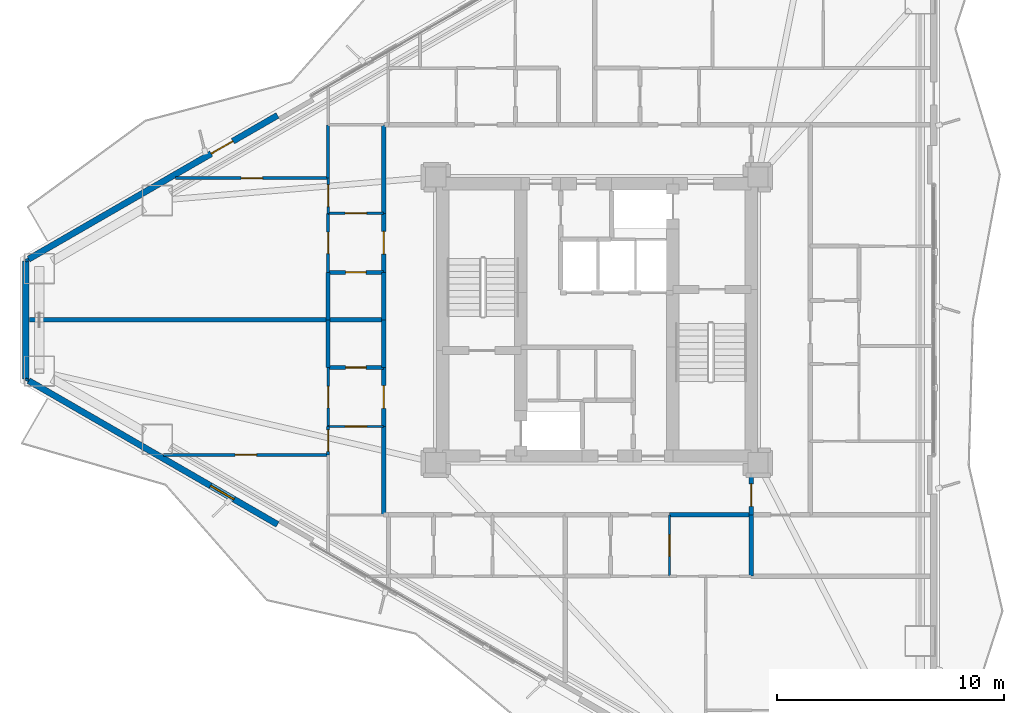
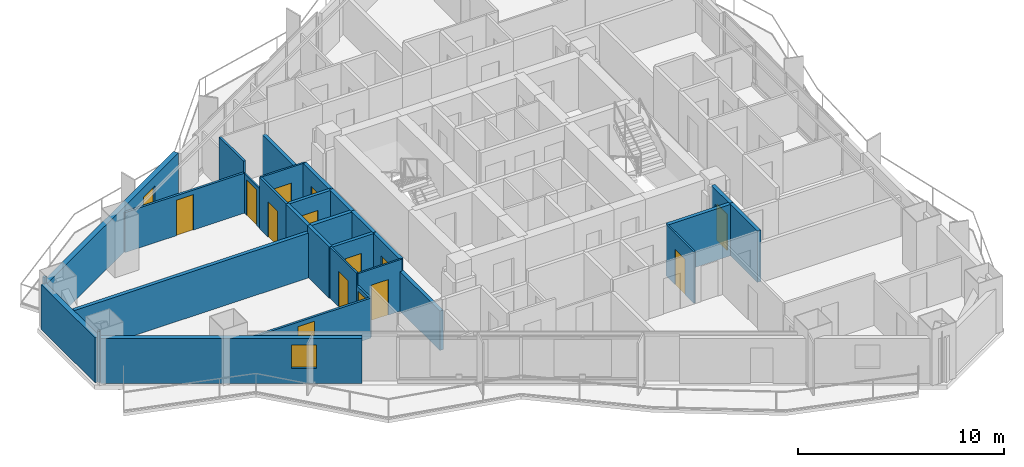
# One storey, part 12 of 18: 30 walls, 15 doors, 1 window, 16 openings.
"""IFC4 building model written with IfcOpenShell, lengths in metres."""

from ifc_helpers import new_model, si_unit, direction, frame, frame_2d, origin, place, context, subcontext, project, spatial, rectangle, extrude, material, layer, layer_set, type_object, element, fill, save


model = new_model("IFC4")

# Units and contexts
model_context = context("Model", 3, precision=1e-05, world=origin(), true_north=direction((0.0, 1.0)))
body_context = subcontext(model_context, "Body", "Model", "MODEL_VIEW")
ifc_project = project(units=[si_unit("LENGTHUNIT", "METRE"), si_unit("AREAUNIT", "SQUARE_METRE"), si_unit("VOLUMEUNIT", "CUBIC_METRE"), si_unit("PLANEANGLEUNIT", "RADIAN"), si_unit("MASSUNIT", "GRAM", prefix="KILO")], contexts=[model_context])

# Site, building, storey
site_placement = place(None, origin())
site = spatial("IfcSite", under=ifc_project, at=site_placement, CompositionType="ELEMENT")
building_placement = place(site_placement, origin())
building = spatial("IfcBuilding", under=site, at=building_placement, Name="Mersakhor Tower and Convention Hall", CompositionType="ELEMENT")
storey_placement = place(building_placement, frame((0.0, 0.0, 32.39990234375)))
storey = spatial("IfcBuildingStorey", under=building, at=storey_placement, Name="L08", CompositionType="ELEMENT", Elevation=32.39990234375)

# Wall
ifc_material_1 = material(Name="Precast concrete C45/55", Category="concrete")
ifc_layer_1 = layer(ifc_material_1, 0.27490234375)
ifc_layer_set_1 = layer_set([ifc_layer_1], Name="Precast concrete C45/55")
wall_type_1 = type_object("IfcWallType", Name="WL-EXT-275", PredefinedType="SOLIDWALL", material=ifc_layer_set_1)
wall_1_placement = place(storey_placement, frame((3.81298828125, 24.144287109375, 0.0), z_axis=(0.0, 0.0, 1.0), x_axis=(0.0, 1.0, 0.0)))
element("IfcWall", 1, at=wall_1_placement, inside=storey, type_object=wall_type_1, Name="L08 Chamfer Braced Spandrel Wall C3", PredefinedType="SOLIDWALL", context=body_context, shape_type="SweptSolid", body=[
    extrude(rectangle(XDim=5.21142578125, YDim=0.27490234375, at=frame_2d((2.605712890625, 0.0))), origin(), (0.0, 0.0, 1.0), 2.66015625),
])

# Wall, opening, door
wall_2_placement = place(storey_placement, frame((3.943115234375, 29.4306640625, 0.0), z_axis=(0.0, 0.0, 1.0), x_axis=(0.866027105532, 0.499997052475, 0.0)))
wall_2 = element("IfcWall", 2, at=wall_2_placement, inside=storey, type_object=wall_type_1, Name="L08 Exterior Facade Wall F1-B1", PredefinedType="SOLIDWALL", context=body_context, shape_type="SweptSolid", body=[
    extrude(rectangle(XDim=12.6728515625, YDim=0.27490234375, at=frame_2d((6.33642578125, 0.0))), origin(), (0.0, 0.0, 1.0), 2.66015625),
])
opening_1_placement = place(wall_2_placement, frame((9.298095703125, 0.0, 0.0)))
opening_1 = element("IfcOpeningElement", 3, at=opening_1_placement, cuts=wall_2, Name="Opening BD-02", PredefinedType="OPENING", context=body_context, shape_type="SweptSolid", body=[
    extrude(rectangle(XDim=1.10009765625, YDim=2.10009765625, at=frame_2d((0.550048828125, 1.050048828125))), frame((0.0, 0.1474609375, 0.0), z_axis=(0.0, -1.0, 0.0), x_axis=(1.0, 0.0, 0.0)), (0.0, 0.0, 1.0), 0.294921875),
])
ifc_material_2 = material(Name="Thermally broken dark aluminium and safety glass", Category="aluminium")
door_type_1 = type_object("IfcDoorType", Name="DR-BAL-110x210", OperationType="NOTDEFINED", PredefinedType="DOOR", material=ifc_material_2)
door_1_placement = place(opening_1_placement, origin())
door_1 = element("IfcDoor", 4, at=door_1_placement, inside=storey, type_object=door_type_1, Name="L08 Balcony Terrace Door F1-B1", OperationType="SINGLE_SWING_RIGHT", OverallHeight=2.10009765625, OverallWidth=1.10009765625, PredefinedType="DOOR", context=body_context, shape_type="SweptSolid", body=[
    extrude(rectangle(XDim=1.10009765625, YDim=2.10009765625, at=frame_2d((0.550048828125, 1.050048828125))), frame((0.0, 0.02490234375, 0.0), z_axis=(0.0, -1.0, 0.0), x_axis=(1.0, 0.0, 0.0)), (0.0, 0.0, 1.0), 0.050048828125),
])
fill(opening_1, door_1)

# Wall, opening, window
wall_3_placement = place(storey_placement, frame((14.918212890625, 17.73291015625, 0.0), z_axis=(0.0, 0.0, 1.0), x_axis=(-0.866027105532, 0.499997052475, 0.0)))
wall_3 = element("IfcWall", 5, at=wall_3_placement, inside=storey, type_object=wall_type_1, Name="L08 Exterior Facade Wall F3-B3", PredefinedType="SOLIDWALL", context=body_context, shape_type="SweptSolid", body=[
    extrude(rectangle(XDim=12.6728515625, YDim=0.27490234375, at=frame_2d((6.33642578125, 0.0))), origin(), (0.0, 0.0, 1.0), 2.66015625),
])
opening_2_placement = place(wall_3_placement, frame((2.216064453125, 0.0, 0.89990234375)))
opening_2 = element("IfcOpeningElement", 6, at=opening_2_placement, cuts=wall_3, Name="Opening W-01", PredefinedType="OPENING", context=body_context, shape_type="SweptSolid", body=[
    extrude(rectangle(XDim=1.199951171875, YDim=1.39990234375, at=frame_2d((0.60009765625, 0.699951171875))), frame((0.0, 0.1474609375, 0.0), z_axis=(0.0, -1.0, 0.0), x_axis=(1.0, 0.0, 0.0)), (0.0, 0.0, 1.0), 0.294921875),
])
ifc_material_3 = material(Name="Dark solar low-E glazed aluminium window", Category="aluminium")
window_type = type_object("IfcWindowType", Name="WN-RES-120x150", PartitioningType="SINGLE_PANEL", PredefinedType="WINDOW", material=ifc_material_3)
window_placement = place(opening_2_placement, origin())
window = element("IfcWindow", 7, at=window_placement, inside=storey, type_object=window_type, Name="L08 Bedroom Facade Window F3-B3-1", OverallHeight=1.39990234375, OverallWidth=1.199951171875, PartitioningType="SINGLE_PANEL", PredefinedType="WINDOW", context=body_context, shape_type="SweptSolid", body=[
    extrude(rectangle(XDim=1.199951171875, YDim=1.39990234375, at=frame_2d((0.60009765625, 0.699951171875))), frame((0.0, 0.030029296875, 0.0), z_axis=(0.0, -1.0, 0.0), x_axis=(1.0, 0.0, 0.0)), (0.0, 0.0, 1.0), 0.06005859375),
])
fill(opening_2, window)

# Wall, opening, door
ifc_material_4 = material(Name="Moisture-resistant acoustic drywall studwork", Category="other")
ifc_layer_2 = layer(ifc_material_4, 0.175048828125)
ifc_layer_set_2 = layer_set([ifc_layer_2], Name="Moisture-resistant acoustic drywall studwork")
wall_type_2 = type_object("IfcWallType", Name="WL-PLM-175", PredefinedType="PLUMBINGWALL", material=ifc_layer_set_2)
wall_4_placement = place(storey_placement, frame((19.60009765625, 28.85009765625, 0.0), z_axis=(0.0, 0.0, 1.0), x_axis=(-1.0, 0.0, 0.0)))
wall_4 = element("IfcWall", 8, at=wall_4_placement, inside=storey, type_object=wall_type_2, Name="L08 Interior Partition Wall P-081", PredefinedType="PLUMBINGWALL", context=body_context, shape_type="SweptSolid", body=[
    extrude(rectangle(XDim=2.4501953125, YDim=0.175048828125, at=frame_2d((1.22509765625, 0.0))), origin(), (0.0, 0.0, 1.0), 3.0400390625),
])
opening_3_placement = place(wall_4_placement, frame((0.77490234375, 0.0, 0.0)))
opening_3 = element("IfcOpeningElement", 9, at=opening_3_placement, cuts=wall_4, Name="Opening WD-01", PredefinedType="OPENING", context=body_context, shape_type="SweptSolid", body=[
    extrude(rectangle(XDim=0.89990234375, YDim=2.10009765625, at=frame_2d((0.449951171875, 1.050048828125))), frame((0.0, 0.097412109375, 0.0), z_axis=(0.0, -1.0, 0.0), x_axis=(1.0, 0.0, 0.0)), (0.0, 0.0, 1.0), 0.195068359375),
])
ifc_material_5 = material(Name="Solid-core hardwood leaf in painted steel frame", Category="steel")
door_type_2 = type_object("IfcDoorType", Name="DR-INT-WET-090x210", OperationType="NOTDEFINED", PredefinedType="DOOR", material=ifc_material_5)
door_2_placement = place(opening_3_placement, origin())
door_2 = element("IfcDoor", 10, at=door_2_placement, inside=storey, type_object=door_type_2, Name="L08 L08 Flat W5 Apartment Hall to L08 Flat W5 Bathroom Door", OperationType="SINGLE_SWING_RIGHT", OverallHeight=2.10009765625, OverallWidth=0.89990234375, PredefinedType="DOOR", context=body_context, shape_type="SweptSolid", body=[
    extrude(rectangle(XDim=0.89990234375, YDim=2.10009765625, at=frame_2d((0.449951171875, 1.050048828125))), frame((0.0, 0.02490234375, 0.0), z_axis=(0.0, -1.0, 0.0), x_axis=(1.0, 0.0, 0.0)), (0.0, 0.0, 1.0), 0.050048828125),
])
fill(opening_3, door_2)

wall_5_placement = place(storey_placement, frame((17.14990234375, 24.64990234375, 0.0), z_axis=(0.0, 0.0, 1.0), x_axis=(1.0, 0.0, 0.0)))
wall_5 = element("IfcWall", 11, at=wall_5_placement, inside=storey, type_object=wall_type_2, Name="L08 Interior Partition Wall P-083", PredefinedType="PLUMBINGWALL", context=body_context, shape_type="SweptSolid", body=[
    extrude(rectangle(XDim=2.4501953125, YDim=0.175048828125, at=frame_2d((1.22509765625, 0.0))), origin(), (0.0, 0.0, 1.0), 3.0400390625),
])
opening_4_placement = place(wall_5_placement, frame((0.77490234375, 0.0, 0.0)))
opening_4 = element("IfcOpeningElement", 12, at=opening_4_placement, cuts=wall_5, Name="Opening WD-01", PredefinedType="OPENING", context=body_context, shape_type="SweptSolid", body=[
    extrude(rectangle(XDim=0.89990234375, YDim=2.10009765625, at=frame_2d((0.449951171875, 1.050048828125))), frame((0.0, 0.097412109375, 0.0), z_axis=(0.0, -1.0, 0.0), x_axis=(1.0, 0.0, 0.0)), (0.0, 0.0, 1.0), 0.195068359375),
])
door_3_placement = place(opening_4_placement, origin())
door_3 = element("IfcDoor", 13, at=door_3_placement, inside=storey, type_object=door_type_2, Name="L08 L08 Flat W6 Apartment Hall to L08 Flat W6 Bathroom Door", OperationType="SINGLE_SWING_LEFT", OverallHeight=2.10009765625, OverallWidth=0.89990234375, PredefinedType="DOOR", context=body_context, shape_type="SweptSolid", body=[
    extrude(rectangle(XDim=0.89990234375, YDim=2.10009765625, at=frame_2d((0.449951171875, 1.050048828125))), frame((0.0, 0.02490234375, 0.0), z_axis=(0.0, -1.0, 0.0), x_axis=(1.0, 0.0, 0.0)), (0.0, 0.0, 1.0), 0.050048828125),
])
fill(opening_4, door_3)

# Walls
for number, where, z_axis, x_axis, name in (
    (14, (17.14990234375, 26.75, 0.0), (0.0, 0.0, 1.0), (0.0, 1.0, 0.0), "L08 Interior Partition Wall P-108"),
    (15, (17.14990234375, 24.64990234375, 0.0), (0.0, 0.0, 1.0), (0.0, 1.0, 0.0), "L08 Interior Partition Wall P-113"),
):
    element("IfcWall", number, at=place(storey_placement, frame(where, z_axis=z_axis, x_axis=x_axis)), inside=storey, type_object=wall_type_2, Name=name, PredefinedType="PLUMBINGWALL", context=body_context, shape_type="SweptSolid", body=[
        extrude(rectangle(XDim=2.10009765625, YDim=0.175048828125, at=frame_2d((1.050048828125, 0.0))), origin(), (0.0, 0.0, 1.0), 3.0400390625),
    ])

# Wall, opening, door
ifc_material_6 = material(Name="Lightweight gypsum partition", Category="other")
ifc_layer_3 = layer(ifc_material_6, 0.10009765625)
ifc_layer_set_3 = layer_set([ifc_layer_3], Name="Lightweight gypsum partition")
wall_type_3 = type_object("IfcWallType", Name="WL-PRT-100", PredefinedType="PARTITIONING", material=ifc_layer_set_3)
wall_6_placement = place(storey_placement, frame((32.199951171875, 18.14990234375, 0.0), z_axis=(0.0, 0.0, 1.0), x_axis=(0.0, -1.0, 0.0)))
wall_6 = element("IfcWall", 16, at=wall_6_placement, inside=storey, type_object=wall_type_3, Name="L08 Interior Partition Wall P-078", PredefinedType="PARTITIONING", context=body_context, shape_type="SweptSolid", body=[
    extrude(rectangle(XDim=2.699951171875, YDim=0.10009765625, at=frame_2d((1.35009765625, 0.0))), origin(), (0.0, 0.0, 1.0), 3.0400390625),
])
opening_5_placement = place(wall_6_placement, frame((0.875, 0.0, 0.0)))
opening_5 = element("IfcOpeningElement", 17, at=opening_5_placement, cuts=wall_6, Name="Opening RD-01", PredefinedType="OPENING", context=body_context, shape_type="SweptSolid", body=[
    extrude(rectangle(XDim=0.949951171875, YDim=2.10009765625, at=frame_2d((0.47509765625, 1.050048828125))), frame((0.0, 0.06005859375, 0.0), z_axis=(0.0, -1.0, 0.0), x_axis=(1.0, 0.0, 0.0)), (0.0, 0.0, 1.0), 0.1201171875),
])
ifc_material_7 = material(Name="Solid-core hardwood leaf in painted steel frame", Category="steel")
door_type_3 = type_object("IfcDoorType", Name="DR-INT-RM-095x210", OperationType="NOTDEFINED", PredefinedType="DOOR", material=ifc_material_7)
door_4_placement = place(opening_5_placement, origin())
door_4 = element("IfcDoor", 18, at=door_4_placement, inside=storey, type_object=door_type_3, Name="L08 L08 Flat S4 Apartment Hall to L08 Flat S4 Kitchen Door", OperationType="SINGLE_SWING_RIGHT", OverallHeight=2.10009765625, OverallWidth=0.949951171875, PredefinedType="DOOR", context=body_context, shape_type="SweptSolid", body=[
    extrude(rectangle(XDim=0.949951171875, YDim=2.10009765625, at=frame_2d((0.47509765625, 1.050048828125))), frame((0.0, 0.02490234375, 0.0), z_axis=(0.0, -1.0, 0.0), x_axis=(1.0, 0.0, 0.0)), (0.0, 0.0, 1.0), 0.050048828125),
])
fill(opening_5, door_4)

wall_7_placement = place(storey_placement, frame((17.14990234375, 31.449951171875, 0.0), z_axis=(0.0, 0.0, 1.0), x_axis=(1.0, 0.0, 0.0)))
wall_7 = element("IfcWall", 19, at=wall_7_placement, inside=storey, type_object=wall_type_3, Name="L08 Interior Partition Wall P-080", PredefinedType="PARTITIONING", context=body_context, shape_type="SweptSolid", body=[
    extrude(rectangle(XDim=2.4501953125, YDim=0.10009765625, at=frame_2d((1.22509765625, 0.0))), origin(), (0.0, 0.0, 1.0), 3.0400390625),
])
opening_6_placement = place(wall_7_placement, frame((0.75, 0.0, 0.0)))
opening_6 = element("IfcOpeningElement", 20, at=opening_6_placement, cuts=wall_7, Name="Opening RD-01", PredefinedType="OPENING", context=body_context, shape_type="SweptSolid", body=[
    extrude(rectangle(XDim=0.949951171875, YDim=2.10009765625, at=frame_2d((0.47509765625, 1.050048828125))), frame((0.0, 0.06005859375, 0.0), z_axis=(0.0, -1.0, 0.0), x_axis=(1.0, 0.0, 0.0)), (0.0, 0.0, 1.0), 0.1201171875),
])
door_5_placement = place(opening_6_placement, origin())
door_5 = element("IfcDoor", 21, at=door_5_placement, inside=storey, type_object=door_type_3, Name="L08 L08 Flat W5 Apartment Hall to L08 Flat W5 Kitchen Door", OperationType="SINGLE_SWING_LEFT", OverallHeight=2.10009765625, OverallWidth=0.949951171875, PredefinedType="DOOR", context=body_context, shape_type="SweptSolid", body=[
    extrude(rectangle(XDim=0.949951171875, YDim=2.10009765625, at=frame_2d((0.47509765625, 1.050048828125))), frame((0.0, 0.02490234375, 0.0), z_axis=(0.0, -1.0, 0.0), x_axis=(1.0, 0.0, 0.0)), (0.0, 0.0, 1.0), 0.050048828125),
])
fill(opening_6, door_5)

wall_8_placement = place(storey_placement, frame((17.14990234375, 22.050048828125, 0.0), z_axis=(0.0, 0.0, 1.0), x_axis=(0.0, 1.0, 0.0)))
wall_8 = element("IfcWall", 22, at=wall_8_placement, inside=storey, type_object=wall_type_3, Name="L08 Interior Partition Wall P-082", PredefinedType="PARTITIONING", context=body_context, shape_type="SweptSolid", body=[
    extrude(rectangle(XDim=2.599853515625, YDim=0.10009765625, at=frame_2d((1.2998046875, 0.0))), origin(), (0.0, 0.0, 1.0), 3.0400390625),
])
opening_7_placement = place(wall_8_placement, frame((0.824951171875, 0.0, 0.0)))
opening_7 = element("IfcOpeningElement", 23, at=opening_7_placement, cuts=wall_8, Name="Opening RD-01", PredefinedType="OPENING", context=body_context, shape_type="SweptSolid", body=[
    extrude(rectangle(XDim=0.949951171875, YDim=2.10009765625, at=frame_2d((0.47509765625, 1.050048828125))), frame((0.0, 0.06005859375, 0.0), z_axis=(0.0, -1.0, 0.0), x_axis=(1.0, 0.0, 0.0)), (0.0, 0.0, 1.0), 0.1201171875),
])
door_6_placement = place(opening_7_placement, origin())
door_6 = element("IfcDoor", 24, at=door_6_placement, inside=storey, type_object=door_type_3, Name="L08 L08 Flat W6 Apartment Hall to L08 Flat W6 Living and Dining Room Door", OperationType="SINGLE_SWING_LEFT", OverallHeight=2.10009765625, OverallWidth=0.949951171875, PredefinedType="DOOR", context=body_context, shape_type="SweptSolid", body=[
    extrude(rectangle(XDim=0.949951171875, YDim=2.10009765625, at=frame_2d((0.47509765625, 1.050048828125))), frame((0.0, 0.02490234375, 0.0), z_axis=(0.0, -1.0, 0.0), x_axis=(1.0, 0.0, 0.0)), (0.0, 0.0, 1.0), 0.050048828125),
])
fill(opening_7, door_6)

wall_9_placement = place(storey_placement, frame((19.60009765625, 22.050048828125, 0.0), z_axis=(0.0, 0.0, 1.0), x_axis=(-1.0, 0.0, 0.0)))
wall_9 = element("IfcWall", 25, at=wall_9_placement, inside=storey, type_object=wall_type_3, Name="L08 Interior Partition Wall P-084", PredefinedType="PARTITIONING", context=body_context, shape_type="SweptSolid", body=[
    extrude(rectangle(XDim=2.4501953125, YDim=0.10009765625, at=frame_2d((1.22509765625, 0.0))), origin(), (0.0, 0.0, 1.0), 3.0400390625),
])
opening_8_placement = place(wall_9_placement, frame((0.75, 0.0, 0.0)))
opening_8 = element("IfcOpeningElement", 26, at=opening_8_placement, cuts=wall_9, Name="Opening RD-01", PredefinedType="OPENING", context=body_context, shape_type="SweptSolid", body=[
    extrude(rectangle(XDim=0.949951171875, YDim=2.10009765625, at=frame_2d((0.47509765625, 1.050048828125))), frame((0.0, 0.06005859375, 0.0), z_axis=(0.0, -1.0, 0.0), x_axis=(1.0, 0.0, 0.0)), (0.0, 0.0, 1.0), 0.1201171875),
])
door_7_placement = place(opening_8_placement, origin())
door_7 = element("IfcDoor", 27, at=door_7_placement, inside=storey, type_object=door_type_3, Name="L08 L08 Flat W6 Apartment Hall to L08 Flat W6 Kitchen Door", OperationType="SINGLE_SWING_RIGHT", OverallHeight=2.10009765625, OverallWidth=0.949951171875, PredefinedType="DOOR", context=body_context, shape_type="SweptSolid", body=[
    extrude(rectangle(XDim=0.949951171875, YDim=2.10009765625, at=frame_2d((0.47509765625, 1.050048828125))), frame((0.0, 0.02490234375, 0.0), z_axis=(0.0, -1.0, 0.0), x_axis=(1.0, 0.0, 0.0)), (0.0, 0.0, 1.0), 0.050048828125),
])
fill(opening_8, door_7)

wall_10_placement = place(storey_placement, frame((17.14990234375, 31.449951171875, 0.0), z_axis=(0.0, 0.0, 1.0), x_axis=(0.0, 1.0, 0.0)))
wall_10 = element("IfcWall", 28, at=wall_10_placement, inside=storey, type_object=wall_type_3, Name="L08 Interior Partition Wall P-110", PredefinedType="PARTITIONING", context=body_context, shape_type="SweptSolid", body=[
    extrude(rectangle(XDim=1.550048828125, YDim=0.10009765625, at=frame_2d((0.77490234375, 0.0))), origin(), (0.0, 0.0, 1.0), 2.337646484375),
])
opening_9_placement = place(wall_10_placement, frame((0.300048828125, 0.0, 0.0)))
opening_9 = element("IfcOpeningElement", 29, at=opening_9_placement, cuts=wall_10, Name="Opening RD-01", PredefinedType="OPENING", context=body_context, shape_type="SweptSolid", body=[
    extrude(rectangle(XDim=0.949951171875, YDim=2.10009765625, at=frame_2d((0.47509765625, 1.050048828125))), frame((0.0, 0.06005859375, 0.0), z_axis=(0.0, -1.0, 0.0), x_axis=(1.0, 0.0, 0.0)), (0.0, 0.0, 1.0), 0.1201171875),
])
door_8_placement = place(opening_9_placement, origin())
door_8 = element("IfcDoor", 30, at=door_8_placement, inside=storey, type_object=door_type_3, Name="L08 L08 Flat W5 Kitchen to L08 Flat W5 Living and Dining Room Door", OperationType="SINGLE_SWING_RIGHT", OverallHeight=2.10009765625, OverallWidth=0.949951171875, PredefinedType="DOOR", context=body_context, shape_type="SweptSolid", body=[
    extrude(rectangle(XDim=0.949951171875, YDim=2.10009765625, at=frame_2d((0.47509765625, 1.050048828125))), frame((0.0, 0.02490234375, 0.0), z_axis=(0.0, -1.0, 0.0), x_axis=(1.0, 0.0, 0.0)), (0.0, 0.0, 1.0), 0.050048828125),
])
fill(opening_9, door_8)

# Wall
wall_11_placement = place(storey_placement, frame((3.94287109375, 24.069091796875, 0.0), z_axis=(0.0, 0.0, 1.0), x_axis=(-0.866131372301, 0.499816412211, 0.0)))
element("IfcWall", 31, at=wall_11_placement, inside=storey, type_object=wall_type_3, Name="L08 Interior Partition Wall P-144", PredefinedType="PARTITIONING", context=body_context, shape_type="SweptSolid", body=[
    extrude(rectangle(XDim=0.14990234375, YDim=0.10009765625, at=frame_2d((0.074951171875, 0.0))), origin(), (0.0, 0.0, 1.0), 3.0400390625),
])

# Wall, opening, door
ifc_material_8 = material(Name="Gypsum board acoustic partition", Category="other")
ifc_layer_4 = layer(ifc_material_8, 0.125)
ifc_layer_set_4 = layer_set([ifc_layer_4], Name="Gypsum board acoustic partition")
wall_type_4 = type_object("IfcWallType", Name="WL-PRT-125", PredefinedType="PARTITIONING", material=ifc_layer_set_4)
wall_12_placement = place(storey_placement, frame((17.14990234375, 28.85009765625, 0.0), z_axis=(0.0, 0.0, 1.0), x_axis=(0.0, 1.0, 0.0)))
wall_12 = element("IfcWall", 32, at=wall_12_placement, inside=storey, type_object=wall_type_4, Name="L08 Interior Partition Wall P-079", PredefinedType="PARTITIONING", context=body_context, shape_type="SweptSolid", body=[
    extrude(rectangle(XDim=2.599853515625, YDim=0.125, at=frame_2d((1.2998046875, 0.0))), origin(), (0.0, 0.0, 1.0), 3.0400390625),
])
opening_10_placement = place(wall_12_placement, frame((0.824951171875, 0.0, 0.0)))
opening_10 = element("IfcOpeningElement", 33, at=opening_10_placement, cuts=wall_12, Name="Opening RD-01", PredefinedType="OPENING", context=body_context, shape_type="SweptSolid", body=[
    extrude(rectangle(XDim=0.949951171875, YDim=2.10009765625, at=frame_2d((0.47509765625, 1.050048828125))), frame((0.0, 0.072509765625, 0.0), z_axis=(0.0, -1.0, 0.0), x_axis=(1.0, 0.0, 0.0)), (0.0, 0.0, 1.0), 0.14501953125),
])
door_9_placement = place(opening_10_placement, origin())
door_9 = element("IfcDoor", 34, at=door_9_placement, inside=storey, type_object=door_type_3, Name="L08 L08 Flat W5 Apartment Hall to L08 Flat W5 Living and Dining Room Door", OperationType="SINGLE_SWING_RIGHT", OverallHeight=2.10009765625, OverallWidth=0.949951171875, PredefinedType="DOOR", context=body_context, shape_type="SweptSolid", body=[
    extrude(rectangle(XDim=0.949951171875, YDim=2.10009765625, at=frame_2d((0.47509765625, 1.050048828125))), frame((0.0, 0.02490234375, 0.0), z_axis=(0.0, -1.0, 0.0), x_axis=(1.0, 0.0, 0.0)), (0.0, 0.0, 1.0), 0.050048828125),
])
fill(opening_10, door_9)

# Wall
wall_13_placement = place(storey_placement, frame((17.14990234375, 33.0, 0.0), z_axis=(0.0, 0.0, 1.0), x_axis=(0.0, 1.0, 0.0)))
element("IfcWall", 35, at=wall_13_placement, inside=storey, type_object=wall_type_4, Name="L08 Interior Partition Wall P-111", PredefinedType="PARTITIONING", context=body_context, shape_type="SweptSolid", body=[
    extrude(rectangle(XDim=2.35009765625, YDim=0.125, at=frame_2d((1.175048828125, 0.0))), origin(), (0.0, 0.0, 1.0), 3.0400390625),
])

# Wall, opening, door
wall_14_placement = place(storey_placement, frame((17.14990234375, 20.800048828125, 0.0), z_axis=(0.0, 0.0, 1.0), x_axis=(0.0, 1.0, 0.0)))
wall_14 = element("IfcWall", 36, at=wall_14_placement, inside=storey, type_object=wall_type_4, Name="L08 Interior Partition Wall P-115", PredefinedType="PARTITIONING", context=body_context, shape_type="SweptSolid", body=[
    extrude(rectangle(XDim=1.25, YDim=0.125, at=frame_2d((0.625, 0.0))), origin(), (0.0, 0.0, 1.0), 2.337646484375),
])
opening_11_placement = place(wall_14_placement, frame((0.14990234375, 0.0, 0.0)))
opening_11 = element("IfcOpeningElement", 37, at=opening_11_placement, cuts=wall_14, Name="Opening RD-01", PredefinedType="OPENING", context=body_context, shape_type="SweptSolid", body=[
    extrude(rectangle(XDim=0.949951171875, YDim=2.10009765625, at=frame_2d((0.47509765625, 1.050048828125))), frame((0.0, 0.072509765625, 0.0), z_axis=(0.0, -1.0, 0.0), x_axis=(1.0, 0.0, 0.0)), (0.0, 0.0, 1.0), 0.14501953125),
])
door_10_placement = place(opening_11_placement, origin())
door_10 = element("IfcDoor", 38, at=door_10_placement, inside=storey, type_object=door_type_3, Name="L08 L08 Flat W6 Kitchen to L08 Flat W6 Living and Dining Room Door", OperationType="SINGLE_SWING_LEFT", OverallHeight=2.10009765625, OverallWidth=0.949951171875, PredefinedType="DOOR", context=body_context, shape_type="SweptSolid", body=[
    extrude(rectangle(XDim=0.949951171875, YDim=2.10009765625, at=frame_2d((0.47509765625, 1.050048828125))), frame((0.0, 0.02490234375, 0.0), z_axis=(0.0, -1.0, 0.0), x_axis=(1.0, 0.0, 0.0)), (0.0, 0.0, 1.0), 0.050048828125),
])
fill(opening_11, door_10)

wall_15_placement = place(storey_placement, frame((10.4189453125, 33.0, 0.0), z_axis=(0.0, 0.0, 1.0), x_axis=(1.0, 0.0, 0.0)))
wall_15 = element("IfcWall", 39, at=wall_15_placement, inside=storey, type_object=wall_type_4, Name="L08 Interior Partition Wall P-139", PredefinedType="PARTITIONING", context=body_context, shape_type="SweptSolid", body=[
    extrude(rectangle(XDim=6.73095703125, YDim=0.125, at=frame_2d((3.365478515625, 0.0))), origin(), (0.0, 0.0, 1.0), 2.364990234375),
])
opening_12_placement = place(wall_15_placement, frame((2.890380859375, 0.0, 0.0)))
opening_12 = element("IfcOpeningElement", 40, at=opening_12_placement, cuts=wall_15, Name="Opening RD-01", PredefinedType="OPENING", context=body_context, shape_type="SweptSolid", body=[
    extrude(rectangle(XDim=0.949951171875, YDim=2.10009765625, at=frame_2d((0.47509765625, 1.050048828125))), frame((0.0, 0.072509765625, 0.0), z_axis=(0.0, -1.0, 0.0), x_axis=(1.0, 0.0, 0.0)), (0.0, 0.0, 1.0), 0.14501953125),
])
door_11_placement = place(opening_12_placement, origin())
door_11 = element("IfcDoor", 41, at=door_11_placement, inside=storey, type_object=door_type_3, Name="L08 L08 Flat W5 Living and Dining Room to L08 Flat W5 Bedroom 1 Door", OperationType="SINGLE_SWING_RIGHT", OverallHeight=2.10009765625, OverallWidth=0.949951171875, PredefinedType="DOOR", context=body_context, shape_type="SweptSolid", body=[
    extrude(rectangle(XDim=0.949951171875, YDim=2.10009765625, at=frame_2d((0.47509765625, 1.050048828125))), frame((0.0, 0.02490234375, 0.0), z_axis=(0.0, -1.0, 0.0), x_axis=(1.0, 0.0, 0.0)), (0.0, 0.0, 1.0), 0.050048828125),
])
fill(opening_12, door_11)

# Wall
wall_16_placement = place(storey_placement, frame((3.81298828125, 29.35595703125, 0.0), z_axis=(0.0, 0.0, 1.0), x_axis=(0.866131372301, 0.499816412211, 0.0)))
element("IfcWall", 42, at=wall_16_placement, inside=storey, type_object=wall_type_4, Name="L08 Interior Partition Wall P-141", PredefinedType="PARTITIONING", context=body_context, shape_type="SweptSolid", body=[
    extrude(rectangle(XDim=0.14990234375, YDim=0.125, at=frame_2d((0.074951171875, 0.0))), origin(), (0.0, 0.0, 1.0), 3.0400390625),
])

# Wall, opening, door
wall_17_placement = place(storey_placement, frame((17.14990234375, 20.800048828125, 0.0), z_axis=(0.0, 0.0, 1.0), x_axis=(-1.0, 0.0, 0.0)))
wall_17 = element("IfcWall", 43, at=wall_17_placement, inside=storey, type_object=wall_type_4, Name="L08 Interior Partition Wall P-143", PredefinedType="PARTITIONING", context=body_context, shape_type="SweptSolid", body=[
    extrude(rectangle(XDim=7.25048828125, YDim=0.125, at=frame_2d((3.625244140625, 0.0))), origin(), (0.0, 0.0, 1.0), 2.364990234375),
])
opening_13_placement = place(wall_17_placement, frame((3.150390625, 0.0, 0.0)))
opening_13 = element("IfcOpeningElement", 44, at=opening_13_placement, cuts=wall_17, Name="Opening RD-01", PredefinedType="OPENING", context=body_context, shape_type="SweptSolid", body=[
    extrude(rectangle(XDim=0.949951171875, YDim=2.10009765625, at=frame_2d((0.47509765625, 1.050048828125))), frame((0.0, 0.072509765625, 0.0), z_axis=(0.0, -1.0, 0.0), x_axis=(1.0, 0.0, 0.0)), (0.0, 0.0, 1.0), 0.14501953125),
])
door_12_placement = place(opening_13_placement, origin())
door_12 = element("IfcDoor", 45, at=door_12_placement, inside=storey, type_object=door_type_3, Name="L08 L08 Flat W6 Living and Dining Room to L08 Flat W6 Bedroom 1 Door", OperationType="SINGLE_SWING_LEFT", OverallHeight=2.10009765625, OverallWidth=0.949951171875, PredefinedType="DOOR", context=body_context, shape_type="SweptSolid", body=[
    extrude(rectangle(XDim=0.949951171875, YDim=2.10009765625, at=frame_2d((0.47509765625, 1.050048828125))), frame((0.0, 0.02490234375, 0.0), z_axis=(0.0, -1.0, 0.0), x_axis=(1.0, 0.0, 0.0)), (0.0, 0.0, 1.0), 0.050048828125),
])
fill(opening_13, door_12)

ifc_material_9 = material(Name="Acoustic concrete blockwork and gypsum board", Category="masonry")
ifc_layer_5 = layer(ifc_material_9, 0.199951171875)
ifc_layer_set_5 = layer_set([ifc_layer_5], Name="Acoustic concrete blockwork and gypsum board")
wall_type_5 = type_object("IfcWallType", Name="WL-PRT-200", PredefinedType="PARTITIONING", material=ifc_layer_set_5)
wall_18_placement = place(storey_placement, frame((35.800048828125, 19.89990234375, 0.0), z_axis=(0.0, 0.0, 1.0), x_axis=(0.0, -1.0, 0.0)))
wall_18 = element("IfcWall", 46, at=wall_18_placement, inside=storey, type_object=wall_type_5, Name="L08 Interior Partition Wall P-023", PredefinedType="PARTITIONING", context=body_context, shape_type="SweptSolid", body=[
    extrude(rectangle(XDim=1.75, YDim=0.199951171875, at=frame_2d((0.875, 0.0))), origin(), (0.0, 0.0, 1.0), 3.0400390625),
])
opening_14_placement = place(wall_18_placement, frame((0.375, 0.0, 0.0)))
opening_14 = element("IfcOpeningElement", 47, at=opening_14_placement, cuts=wall_18, Name="Opening FD-01", PredefinedType="OPENING", context=body_context, shape_type="SweptSolid", body=[
    extrude(rectangle(XDim=1.0, YDim=2.14990234375, at=frame_2d((0.5, 1.074951171875))), frame((0.0, 0.10986328125, 0.0), z_axis=(0.0, -1.0, 0.0), x_axis=(1.0, 0.0, 0.0)), (0.0, 0.0, 1.0), 0.219970703125),
])
ifc_material_10 = material(Name="Fire-rated hardwood leaf and painted steel frame", Category="steel")
door_type_4 = type_object("IfcDoorType", Name="DR-INT-FLT-100x215", OperationType="NOTDEFINED", PredefinedType="DOOR", material=ifc_material_10)
door_13_placement = place(opening_14_placement, origin())
door_13 = element("IfcDoor", 48, at=door_13_placement, inside=storey, type_object=door_type_4, Name="L08 Ring Corridor Fire Door", OperationType="SINGLE_SWING_RIGHT", OverallHeight=2.14990234375, OverallWidth=1.0, PredefinedType="DOOR", context=body_context, shape_type="SweptSolid", body=[
    extrude(rectangle(XDim=1.0, YDim=2.14990234375, at=frame_2d((0.5, 1.074951171875))), frame((0.0, 0.02490234375, 0.0), z_axis=(0.0, -1.0, 0.0), x_axis=(1.0, 0.0, 0.0)), (0.0, 0.0, 1.0), 0.050048828125),
])
fill(opening_14, door_13)

# Walls
wall_19_placement = place(storey_placement, frame((35.800048828125, 18.14990234375, 0.0), z_axis=(0.0, 0.0, 1.0), x_axis=(-1.0, 0.0, 0.0)))
element("IfcWall", 49, at=wall_19_placement, inside=storey, type_object=wall_type_5, Name="L08 Interior Partition Wall P-024", PredefinedType="PARTITIONING", context=body_context, shape_type="SweptSolid", body=[
    extrude(rectangle(XDim=3.60009765625, YDim=0.199951171875, at=frame_2d((1.800048828125, 0.0))), origin(), (0.0, 0.0, 1.0), 3.0400390625),
])
wall_20_placement = place(storey_placement, frame((19.60009765625, 18.14990234375, 0.0), z_axis=(0.0, 0.0, 1.0), x_axis=(0.0, 1.0, 0.0)))
element("IfcWall", 50, at=wall_20_placement, inside=storey, type_object=wall_type_5, Name="L08 Interior Partition Wall P-031", PredefinedType="PARTITIONING", context=body_context, shape_type="SweptSolid", body=[
    extrude(rectangle(XDim=3.900146484375, YDim=0.199951171875, at=frame_2d((1.9501953125, 0.0))), origin(), (0.0, 0.0, 1.0), 2.337646484375),
])

# Wall, opening, door
wall_21_placement = place(storey_placement, frame((19.60009765625, 22.050048828125, 0.0), z_axis=(0.0, 0.0, 1.0), x_axis=(0.0, 1.0, 0.0)))
wall_21 = element("IfcWall", 51, at=wall_21_placement, inside=storey, type_object=wall_type_5, Name="L08 Interior Partition Wall P-032", PredefinedType="PARTITIONING", context=body_context, shape_type="SweptSolid", body=[
    extrude(rectangle(XDim=2.599853515625, YDim=0.199951171875, at=frame_2d((1.2998046875, 0.0))), origin(), (0.0, 0.0, 1.0), 3.0400390625),
])
opening_15_placement = place(wall_21_placement, frame((0.800048828125, 0.0, 0.0)))
opening_15 = element("IfcOpeningElement", 52, at=opening_15_placement, cuts=wall_21, Name="Opening FD-01", PredefinedType="OPENING", context=body_context, shape_type="SweptSolid", body=[
    extrude(rectangle(XDim=1.0, YDim=2.14990234375, at=frame_2d((0.5, 1.074951171875))), frame((0.0, 0.10986328125, 0.0), z_axis=(0.0, -1.0, 0.0), x_axis=(1.0, 0.0, 0.0)), (0.0, 0.0, 1.0), 0.219970703125),
])
door_14_placement = place(opening_15_placement, origin())
door_14 = element("IfcDoor", 53, at=door_14_placement, inside=storey, type_object=door_type_4, Name="L08 Apartment Entrance Door (Residential Ring Corridor to L08 Flat W6 Apartment Hall)", OperationType="SINGLE_SWING_LEFT", OverallHeight=2.14990234375, OverallWidth=1.0, PredefinedType="DOOR", context=body_context, shape_type="SweptSolid", body=[
    extrude(rectangle(XDim=1.0, YDim=2.14990234375, at=frame_2d((0.5, 1.074951171875))), frame((0.0, 0.02490234375, 0.0), z_axis=(0.0, -1.0, 0.0), x_axis=(1.0, 0.0, 0.0)), (0.0, 0.0, 1.0), 0.050048828125),
])
fill(opening_15, door_14)

# Walls
for number, where, z_axis, x_axis, name in (
    (54, (19.60009765625, 24.64990234375, 0.0), (0.0, 0.0, 1.0), (0.0, 1.0, 0.0), "L08 Interior Partition Wall P-033"),
    (55, (19.60009765625, 26.75, 0.0), (0.0, 0.0, 1.0), (0.0, 1.0, 0.0), "L08 Interior Partition Wall P-034"),
):
    element("IfcWall", number, at=place(storey_placement, frame(where, z_axis=z_axis, x_axis=x_axis)), inside=storey, type_object=wall_type_5, Name=name, PredefinedType="PARTITIONING", context=body_context, shape_type="SweptSolid", body=[
        extrude(rectangle(XDim=2.10009765625, YDim=0.199951171875, at=frame_2d((1.050048828125, 0.0))), origin(), (0.0, 0.0, 1.0), 3.0400390625),
    ])

# Wall, opening, door
wall_22_placement = place(storey_placement, frame((19.60009765625, 28.85009765625, 0.0), z_axis=(0.0, 0.0, 1.0), x_axis=(0.0, 1.0, 0.0)))
wall_22 = element("IfcWall", 56, at=wall_22_placement, inside=storey, type_object=wall_type_5, Name="L08 Interior Partition Wall P-035", PredefinedType="PARTITIONING", context=body_context, shape_type="SweptSolid", body=[
    extrude(rectangle(XDim=2.599853515625, YDim=0.199951171875, at=frame_2d((1.2998046875, 0.0))), origin(), (0.0, 0.0, 1.0), 3.0400390625),
])
opening_16_placement = place(wall_22_placement, frame((0.800048828125, 0.0, 0.0)))
opening_16 = element("IfcOpeningElement", 57, at=opening_16_placement, cuts=wall_22, Name="Opening FD-01", PredefinedType="OPENING", context=body_context, shape_type="SweptSolid", body=[
    extrude(rectangle(XDim=1.0, YDim=2.14990234375, at=frame_2d((0.5, 1.074951171875))), frame((0.0, 0.10986328125, 0.0), z_axis=(0.0, -1.0, 0.0), x_axis=(1.0, 0.0, 0.0)), (0.0, 0.0, 1.0), 0.219970703125),
])
door_15_placement = place(opening_16_placement, origin())
door_15 = element("IfcDoor", 58, at=door_15_placement, inside=storey, type_object=door_type_4, Name="L08 Apartment Entrance Door (Residential Ring Corridor to L08 Flat W5 Apartment Hall)", OperationType="SINGLE_SWING_RIGHT", OverallHeight=2.14990234375, OverallWidth=1.0, PredefinedType="DOOR", context=body_context, shape_type="SweptSolid", body=[
    extrude(rectangle(XDim=1.0, YDim=2.14990234375, at=frame_2d((0.5, 1.074951171875))), frame((0.0, 0.02490234375, 0.0), z_axis=(0.0, -1.0, 0.0), x_axis=(1.0, 0.0, 0.0)), (0.0, 0.0, 1.0), 0.050048828125),
])
fill(opening_16, door_15)

# Walls
wall_23_placement = place(storey_placement, frame((19.60009765625, 31.449951171875, 0.0), z_axis=(0.0, 0.0, 1.0), x_axis=(0.0, 1.0, 0.0)))
element("IfcWall", 59, at=wall_23_placement, inside=storey, type_object=wall_type_5, Name="L08 Interior Partition Wall P-036", PredefinedType="PARTITIONING", context=body_context, shape_type="SweptSolid", body=[
    extrude(rectangle(XDim=3.900146484375, YDim=0.199951171875, at=frame_2d((1.9501953125, 0.0))), origin(), (0.0, 0.0, 1.0), 2.337646484375),
])
wall_24_placement = place(storey_placement, frame((35.800048828125, 18.14990234375, 0.0), z_axis=(0.0, 0.0, 1.0), x_axis=(0.0, -1.0, 0.0)))
element("IfcWall", 60, at=wall_24_placement, inside=storey, type_object=wall_type_5, Name="L08 Interior Partition Wall P-107", PredefinedType="PARTITIONING", context=body_context, shape_type="SweptSolid", body=[
    extrude(rectangle(XDim=2.699951171875, YDim=0.199951171875, at=frame_2d((1.35009765625, 0.0))), origin(), (0.0, 0.0, 1.0), 3.0400390625),
])
wall_25_placement = place(storey_placement, frame((19.60009765625, 26.75, 0.0), z_axis=(0.0, 0.0, 1.0), x_axis=(-1.0, 0.0, 0.0)))
element("IfcWall", 61, at=wall_25_placement, inside=storey, type_object=wall_type_5, Name="L08 Interior Partition Wall P-109", PredefinedType="PARTITIONING", context=body_context, shape_type="SweptSolid", body=[
    extrude(rectangle(XDim=2.4501953125, YDim=0.199951171875, at=frame_2d((1.22509765625, 0.0))), origin(), (0.0, 0.0, 1.0), 3.0400390625),
])
wall_26_placement = place(storey_placement, frame((17.14990234375, 26.75, 0.0), z_axis=(0.0, 0.0, 1.0), x_axis=(-1.0, 0.0, 0.0)))
element("IfcWall", 62, at=wall_26_placement, inside=storey, type_object=wall_type_5, Name="L08 Interior Partition Wall P-140", PredefinedType="PARTITIONING", context=body_context, shape_type="SweptSolid", body=[
    extrude(rectangle(XDim=13.17529296875, YDim=0.199951171875, at=frame_2d((6.587646484375, 0.0))), origin(), (0.0, 0.0, 1.0), 2.650390625),
])

save(model, "model.ifc")
